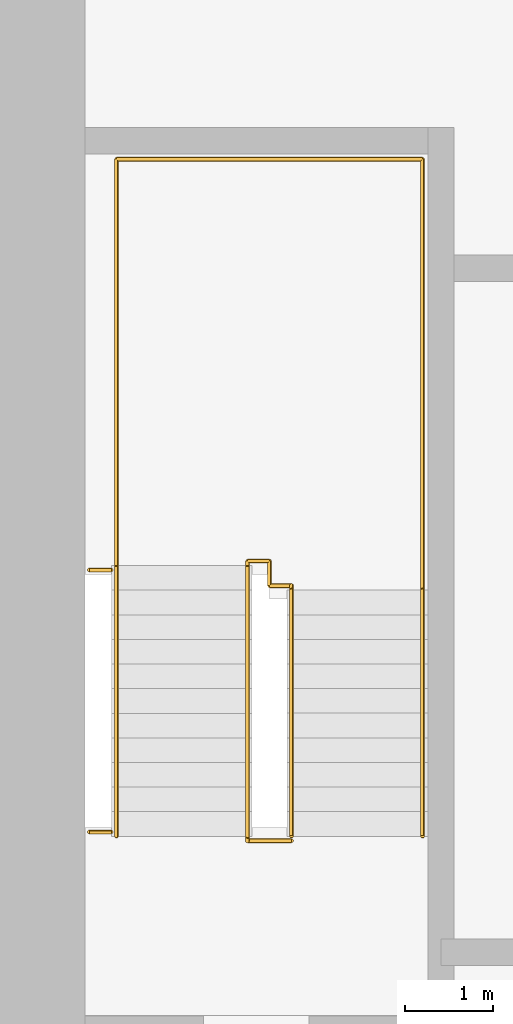
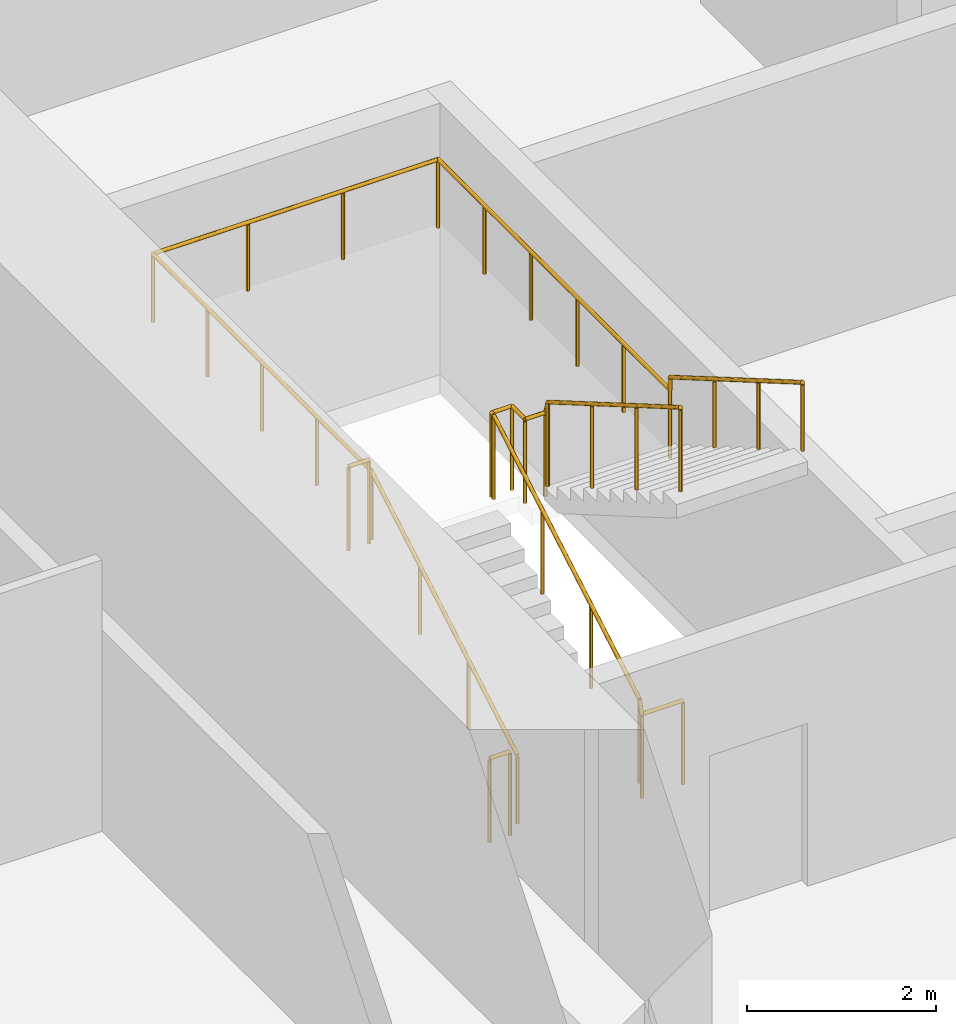
# One storey, part 13 of 15: 4 railings.
"""IFC4 building model written with IfcOpenShell, lengths in metres."""

from ifc_helpers import new_model, si_unit, direction, frame, origin, origin_2d, place, context, subcontext, project, spatial, circle, extrude, material, type_object, element, save


model = new_model("IFC4")

# Units and contexts
model_context = context("Model", 3, precision=1e-05, world=origin(), true_north=direction((0.0, 1.0)))
body_context = subcontext(model_context, "Body", "Model", "MODEL_VIEW")
ifc_project = project(units=[si_unit("LENGTHUNIT", "METRE"), si_unit("AREAUNIT", "SQUARE_METRE"), si_unit("VOLUMEUNIT", "CUBIC_METRE"), si_unit("PLANEANGLEUNIT", "RADIAN"), si_unit("MASSUNIT", "GRAM", prefix="KILO")], contexts=[model_context])

# Site, building, storey
site_placement = place(None, origin())
site = spatial("IfcSite", under=ifc_project, at=site_placement, CompositionType="ELEMENT")
building_placement = place(site_placement, origin())
building = spatial("IfcBuilding", under=site, at=building_placement, Name="Khuree Lantern Residences", CompositionType="ELEMENT")
storey_placement = place(building_placement, frame((0.0, 0.0, 199.5)))
storey = spatial("IfcBuildingStorey", under=building, at=storey_placement, Name="L49", CompositionType="ELEMENT", Elevation=199.5)

# Railings
ifc_material = material(Name="Steel S355", Category="steel")
railing_type_1 = type_object("IfcRailingType", Name="STAIR GUARD G1 1100", PredefinedType="GUARDRAIL", material=ifc_material)
railing_1_placement = place(storey_placement, frame((-12.35009765625, -2.909912109375, 0.0)))
element("IfcRailing", 1, at=railing_1_placement, inside=storey, type_object=railing_type_1, Name="Stair ST1 guard", PredefinedType="GUARDRAIL", context=body_context, shape_type="SweptSolid", body=[
    extrude(circle(Radius=0.02392578125, at=origin_2d()), frame((0.0, 0.0, 1.076171875), z_axis=(-1.0, 0.0, 0.0), x_axis=(0.0, -1.0, 0.0)), (0.0, 0.0, 1.0), 0.5),
    extrude(circle(Radius=0.02392578125, at=origin_2d()), frame((-0.5, 0.0, 1.076171875), z_axis=(0.0, 0.292073035251, 0.95639601739), x_axis=(-1.0, 0.0, 0.0)), (0.0, 0.0, 1.0), 0.17041015625),
    extrude(circle(Radius=0.02392578125, at=origin_2d()), frame((-0.5, 0.0498046875, 1.2392578125), z_axis=(0.0, 0.864176135923, 0.503189433615), x_axis=(-1.0, 0.0, 0.0)), (0.0, 0.0, 1.0), 3.564208984375),
    extrude(circle(Radius=0.02392578125, at=origin_2d()), frame((-0.5, 3.1298828125, 3.03271484375), z_axis=(0.0, 1.0, 0.0), x_axis=(-1.0, 0.0, 0.0)), (0.0, 0.0, 1.0), 0.050048828125),
    extrude(circle(Radius=0.02392578125, at=origin_2d()), frame((-0.5, 3.179931640625, 3.03271484375), z_axis=(1.0, 0.0, 0.0), x_axis=(0.0, 1.0, 0.0)), (0.0, 0.0, 1.0), 0.25),
    extrude(circle(Radius=0.02392578125, at=origin_2d()), frame((-0.25, 3.179931640625, 3.03271484375), z_axis=(0.0, -1.0, 0.0), x_axis=(1.0, 0.0, 0.0)), (0.0, 0.0, 1.0), 0.280029296875),
    extrude(circle(Radius=0.02392578125, at=origin_2d()), frame((-0.25, 2.89990234375, 3.03271484375), z_axis=(1.0, 0.0, 0.0), x_axis=(0.0, 1.0, 0.0)), (0.0, 0.0, 1.0), 0.25),
    extrude(circle(Radius=0.02392578125, at=origin_2d()), frame((0.0, 2.89990234375, 3.03271484375), z_axis=(0.0, -0.293381807449, 0.955995353053), x_axis=(1.0, 0.0, 0.0)), (0.0, 0.0, 1.0), 0.170654296875),
    extrude(circle(Radius=0.02392578125, at=origin_2d()), frame((0.0, 2.849853515625, 3.19580078125), z_axis=(0.0, -0.864180358799, 0.503182181189), x_axis=(1.0, 0.0, 0.0)), (0.0, 0.0, 1.0), 3.240234375),
    extrude(circle(Radius=0.02099609375, at=origin_2d()), origin(), (0.0, 0.0, 1.0), 1.052001953125),
    extrude(circle(Radius=0.02099609375, at=origin_2d()), frame((-0.5, 0.0, 0.0)), (0.0, 0.0, 1.0), 1.052001953125),
    extrude(circle(Radius=0.02099609375, at=origin_2d()), frame((-0.5, 0.0498046875, 0.1630859375)), (0.0, 0.0, 1.0), 1.052001953125),
    extrude(circle(Radius=0.02099609375, at=origin_2d()), frame((-0.5, 1.076416015625, 0.760986328125)), (0.0, 0.0, 1.0), 1.052001953125),
    extrude(circle(Radius=0.02099609375, at=origin_2d()), frame((-0.5, 2.103271484375, 1.358642578125)), (0.0, 0.0, 1.0), 1.052001953125),
    extrude(circle(Radius=0.02099609375, at=origin_2d()), frame((-0.5, 3.1298828125, 1.95654296875)), (0.0, 0.0, 1.0), 1.052001953125),
    extrude(circle(Radius=0.02099609375, at=origin_2d()), frame((-0.5, 3.179931640625, 1.95654296875)), (0.0, 0.0, 1.0), 1.052001953125),
    extrude(circle(Radius=0.02099609375, at=origin_2d()), frame((-0.25, 3.179931640625, 1.95654296875)), (0.0, 0.0, 1.0), 1.052001953125),
    extrude(circle(Radius=0.02099609375, at=origin_2d()), frame((-0.25, 2.89990234375, 1.95654296875)), (0.0, 0.0, 1.0), 1.052001953125),
    extrude(circle(Radius=0.02099609375, at=origin_2d()), frame((0.0, 2.89990234375, 1.95654296875)), (0.0, 0.0, 1.0), 1.052001953125),
    extrude(circle(Radius=0.02099609375, at=origin_2d()), frame((0.0, 2.849853515625, 2.11962890625)), (0.0, 0.0, 1.0), 1.052001953125),
    extrude(circle(Radius=0.02099609375, at=origin_2d()), frame((0.0, 1.91650390625, 2.6630859375)), (0.0, 0.0, 1.0), 1.052001953125),
    extrude(circle(Radius=0.02099609375, at=origin_2d()), frame((0.0, 0.983154296875, 3.20654296875)), (0.0, 0.0, 1.0), 1.052001953125),
    extrude(circle(Radius=0.02099609375, at=origin_2d()), frame((0.0, 0.0498046875, 3.75)), (0.0, 0.0, 1.0), 1.052001953125),
])
for number, where, name in (
    (2, (-14.64990234375, -2.81005859375, 0.0), "Stair ST1 landing slot guard"),
    (3, (-14.64990234375, 0.169921875, 1.95654296875), "Stair ST1 landing slot guard"),
):
    element("IfcRailing", number, at=place(storey_placement, frame(where)), inside=storey, type_object=railing_type_1, Name=name, PredefinedType="GUARDRAIL", context=body_context, shape_type="SweptSolid", body=[
        extrude(circle(Radius=0.02392578125, at=origin_2d()), frame((0.0, 0.0, 1.076171875), z_axis=(1.0, 0.0, 0.0), x_axis=(0.0, 1.0, 0.0)), (0.0, 0.0, 1.0), 0.25),
        extrude(circle(Radius=0.02099609375, at=origin_2d()), origin(), (0.0, 0.0, 1.0), 1.052001953125),
        extrude(circle(Radius=0.02099609375, at=origin_2d()), frame((0.25, 0.0, 0.0)), (0.0, 0.0, 1.0), 1.052001953125),
    ])
railing_type_2 = type_object("IfcRailingType", Name="STAIR HANDRAIL H1 900", PredefinedType="HANDRAIL", material=ifc_material)
railing_2_placement = place(storey_placement, frame((-14.340087890625, -2.860107421875, 0.1630859375)))
element("IfcRailing", 4, at=railing_2_placement, inside=storey, type_object=railing_type_2, Name="Stair ST1 handrail", PredefinedType="HANDRAIL", context=body_context, shape_type="SweptSolid", body=[
    extrude(circle(Radius=0.02392578125, at=origin_2d()), frame((0.0, 0.0, 0.8759765625), z_axis=(0.0, 0.864176135923, 0.503189433615), x_axis=(-1.0, 0.0, 0.0)), (0.0, 0.0, 1.0), 3.564208984375),
    extrude(circle(Radius=0.02392578125, at=origin_2d()), frame((0.0, 3.080078125, 2.66943359375), z_axis=(0.0, 1.0, 0.0), x_axis=(-1.0, 0.0, 0.0)), (0.0, 0.0, 1.0), 4.6201171875),
    extrude(circle(Radius=0.02392578125, at=origin_2d()), frame((0.0, 7.7001953125, 2.66943359375), z_axis=(1.0, 0.0, 0.0), x_axis=(0.0, 1.0, 0.0)), (0.0, 0.0, 1.0), 3.47998046875),
    extrude(circle(Radius=0.02392578125, at=origin_2d()), frame((3.47998046875, 7.7001953125, 2.66943359375), z_axis=(0.0, -1.0, 0.0), x_axis=(1.0, 0.0, 0.0)), (0.0, 0.0, 1.0), 4.900146484375),
    extrude(circle(Radius=0.02392578125, at=origin_2d()), frame((3.47998046875, 2.800048828125, 2.66943359375), z_axis=(0.0, 0.0, 1.0), x_axis=(1.0, 0.0, 0.0)), (0.0, 0.0, 1.0), 0.1630859375),
    extrude(circle(Radius=0.02392578125, at=origin_2d()), frame((3.47998046875, 2.800048828125, 2.83251953125), z_axis=(0.0, -0.864180358799, 0.503182181189), x_axis=(1.0, 0.0, 0.0)), (0.0, 0.0, 1.0), 3.240234375),
    extrude(circle(Radius=0.02099609375, at=origin_2d()), origin(), (0.0, 0.0, 1.0), 0.851806640625),
    extrude(circle(Radius=0.02099609375, at=origin_2d()), frame((0.0, 1.026611328125, 0.597900390625)), (0.0, 0.0, 1.0), 0.851806640625),
    extrude(circle(Radius=0.02099609375, at=origin_2d()), frame((0.0, 2.053466796875, 1.195556640625)), (0.0, 0.0, 1.0), 0.851806640625),
    extrude(circle(Radius=0.02099609375, at=origin_2d()), frame((0.0, 3.080078125, 1.79345703125)), (0.0, 0.0, 1.0), 0.851806640625),
    extrude(circle(Radius=0.02099609375, at=origin_2d()), frame((0.0, 4.235107421875, 1.79345703125)), (0.0, 0.0, 1.0), 0.851806640625),
    extrude(circle(Radius=0.02099609375, at=origin_2d()), frame((0.0, 5.39013671875, 1.79345703125)), (0.0, 0.0, 1.0), 0.851806640625),
    extrude(circle(Radius=0.02099609375, at=origin_2d()), frame((0.0, 6.545166015625, 1.79345703125)), (0.0, 0.0, 1.0), 0.851806640625),
    extrude(circle(Radius=0.02099609375, at=origin_2d()), frame((0.0, 7.7001953125, 1.79345703125)), (0.0, 0.0, 1.0), 0.851806640625),
    extrude(circle(Radius=0.02099609375, at=origin_2d()), frame((1.159912109375, 7.7001953125, 1.79345703125)), (0.0, 0.0, 1.0), 0.851806640625),
    extrude(circle(Radius=0.02099609375, at=origin_2d()), frame((2.320068359375, 7.7001953125, 1.79345703125)), (0.0, 0.0, 1.0), 0.851806640625),
    extrude(circle(Radius=0.02099609375, at=origin_2d()), frame((3.47998046875, 7.7001953125, 1.79345703125)), (0.0, 0.0, 1.0), 0.851806640625),
    extrude(circle(Radius=0.02099609375, at=origin_2d()), frame((3.47998046875, 6.72021484375, 1.79345703125)), (0.0, 0.0, 1.0), 0.851806640625),
    extrude(circle(Radius=0.02099609375, at=origin_2d()), frame((3.47998046875, 5.740234375, 1.79345703125)), (0.0, 0.0, 1.0), 0.851806640625),
    extrude(circle(Radius=0.02099609375, at=origin_2d()), frame((3.47998046875, 4.760009765625, 1.79345703125)), (0.0, 0.0, 1.0), 0.851806640625),
    extrude(circle(Radius=0.02099609375, at=origin_2d()), frame((3.47998046875, 3.780029296875, 1.79345703125)), (0.0, 0.0, 1.0), 0.851806640625),
    extrude(circle(Radius=0.02099609375, at=origin_2d()), frame((3.47998046875, 2.800048828125, 1.79345703125)), (0.0, 0.0, 1.0), 0.851806640625),
    extrude(circle(Radius=0.02099609375, at=origin_2d()), frame((3.47998046875, 2.800048828125, 1.95654296875)), (0.0, 0.0, 1.0), 0.851806640625),
    extrude(circle(Radius=0.02099609375, at=origin_2d()), frame((3.47998046875, 1.86669921875, 2.5)), (0.0, 0.0, 1.0), 0.851806640625),
    extrude(circle(Radius=0.02099609375, at=origin_2d()), frame((3.47998046875, 0.933349609375, 3.04345703125)), (0.0, 0.0, 1.0), 0.851806640625),
    extrude(circle(Radius=0.02099609375, at=origin_2d()), frame((3.47998046875, 0.0, 3.5869140625)), (0.0, 0.0, 1.0), 0.851806640625),
])

save(model, "model.ifc")
